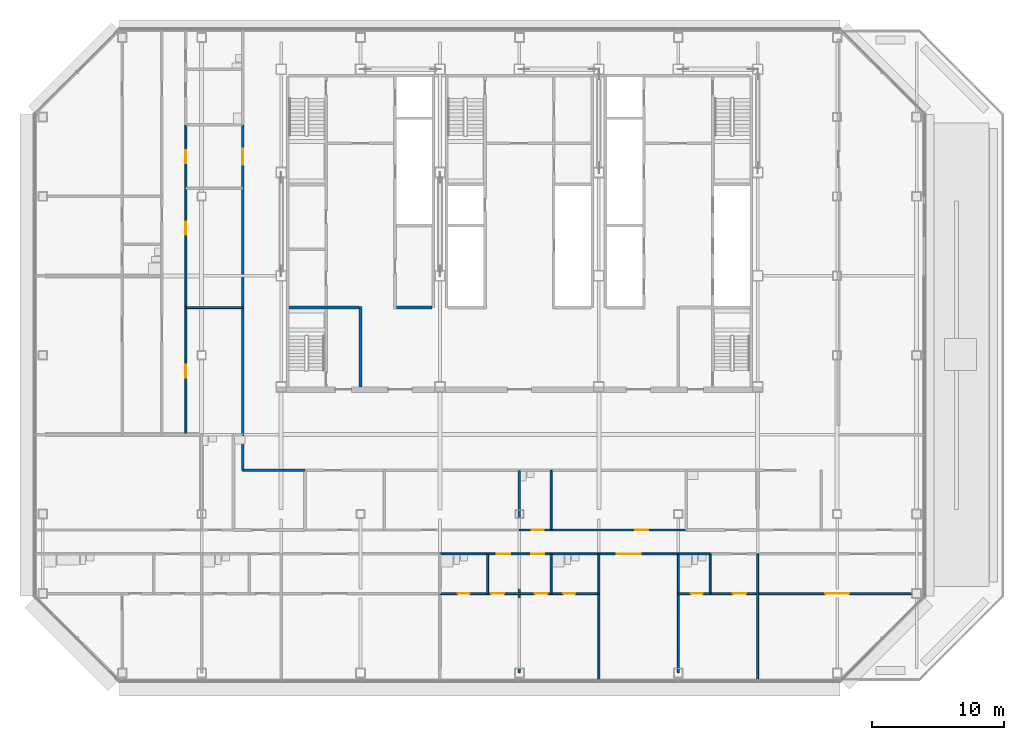
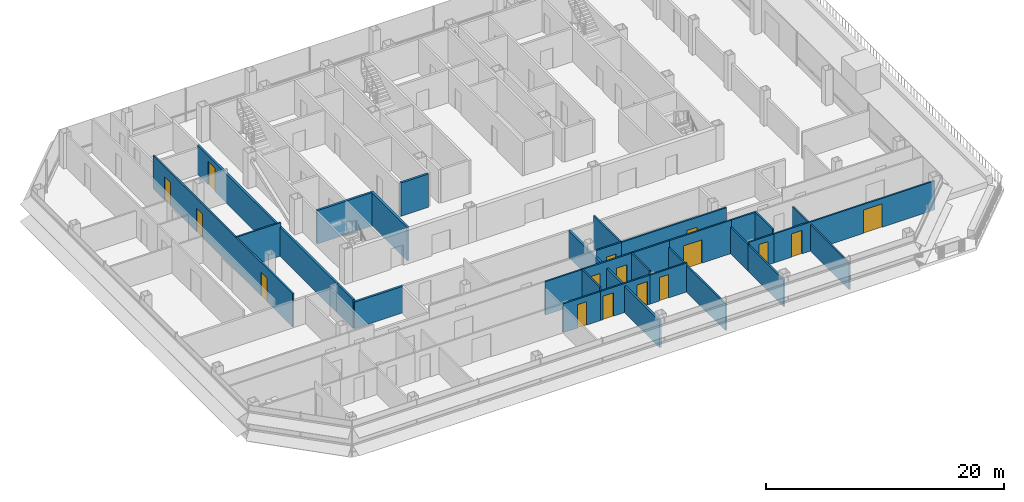
# One storey, part 18 of 27: 30 walls, 16 doors, 16 openings.
"""IFC4 building model written with IfcOpenShell, lengths in metres."""

from ifc_helpers import new_model, si_unit, direction, frame, frame_2d, origin, place, context, subcontext, project, spatial, rectangle, extrude, material, layer, layer_set, type_object, element, fill, save


model = new_model("IFC4")

# Units and contexts
model_context = context("Model", 3, precision=1e-05, world=origin(), true_north=direction((0.0, 1.0)))
body_context = subcontext(model_context, "Body", "Model", "MODEL_VIEW")
ifc_project = project(units=[si_unit("LENGTHUNIT", "METRE"), si_unit("AREAUNIT", "SQUARE_METRE"), si_unit("VOLUMEUNIT", "CUBIC_METRE"), si_unit("PLANEANGLEUNIT", "RADIAN"), si_unit("MASSUNIT", "GRAM", prefix="KILO")], contexts=[model_context])

# Site, building, storey
site_placement = place(None, origin())
site = spatial("IfcSite", under=ifc_project, at=site_placement, CompositionType="ELEMENT")
building_placement = place(site_placement, origin())
building = spatial("IfcBuilding", under=site, at=building_placement, Name="Sorahane Residences", CompositionType="ELEMENT")
storey_placement = place(building_placement, frame((0.0, 0.0, 192.0)))
storey = spatial("IfcBuildingStorey", under=building, at=storey_placement, Name="L44", CompositionType="ELEMENT", Elevation=192.0)

# Wall, opening, door
ifc_material_1 = material(Name="Concrete blockwork C20 wall", Category="masonry")
ifc_layer_1 = layer(ifc_material_1, 0.199951171875)
ifc_layer_set_1 = layer_set([ifc_layer_1], Name="Corridor wall 200 EI 120")
wall_type_1 = type_object("IfcWallType", Name="Corridor wall 200 EI 120", PredefinedType="SOLIDWALL", material=ifc_layer_set_1)
wall_1_placement = place(storey_placement, frame((3.10009765625, 18.0, 0.0), z_axis=(0.0, 0.0, 1.0), x_axis=(0.0, 1.0, 0.0)))
wall_1 = element("IfcWall", 1, at=wall_1_placement, inside=storey, type_object=wall_type_1, Name="L44 corridor wall", PredefinedType="SOLIDWALL", context=body_context, shape_type="SweptSolid", body=[
    extrude(rectangle(XDim=23.39990234375, YDim=0.199951171875, at=frame_2d((11.699951171875, 0.0))), origin(), (0.0, 0.0, 1.0), 2.969970703125),
])
opening_1_placement = place(wall_1_placement, frame((20.39990234375, 0.0, 0.0)))
opening_1 = element("IfcOpeningElement", 2, at=opening_1_placement, cuts=wall_1, Name="Opening L44-46", PredefinedType="OPENING", context=body_context, shape_type="SweptSolid", body=[
    extrude(rectangle(XDim=1.199951171875, YDim=2.39990234375, at=frame_2d((0.60009765625, 1.199951171875))), frame((0.0, 0.10986328125, 0.0), z_axis=(0.0, -1.0, 0.0), x_axis=(1.0, 0.0, 0.0)), (0.0, 0.0, 1.0), 0.219970703125),
])
ifc_material_2 = material(Name="Timber veneered fire door", Category="wood")
door_type_1 = type_object("IfcDoorType", Name="Flat entrance door 1200x2400 FD60", OperationType="NOTDEFINED", PredefinedType="DOOR", material=ifc_material_2)
door_1_placement = place(opening_1_placement, origin())
door_1 = element("IfcDoor", 3, at=door_1_placement, inside=storey, type_object=door_type_1, Name="Flat entrance door L44-46", OperationType="SINGLE_SWING_LEFT", OverallHeight=2.39990234375, OverallWidth=1.199951171875, PredefinedType="DOOR", context=body_context, shape_type="SweptSolid", body=[
    extrude(rectangle(XDim=1.199951171875, YDim=2.39990234375, at=frame_2d((0.60009765625, 1.199951171875))), frame((0.0, 0.02490234375, 0.0), z_axis=(0.0, -1.0, 0.0), x_axis=(1.0, 0.0, 0.0)), (0.0, 0.0, 1.0), 0.050048828125),
])
fill(opening_1, door_1)

# Walls
ifc_material_3 = material(Name="Concrete C30", Category="concrete")
ifc_layer_2 = layer(ifc_material_3, 0.199951171875)
ifc_layer_set_2 = layer_set([ifc_layer_2], Name="Front room wall 200 EI 120")
wall_type_2 = type_object("IfcWallType", Name="Front room wall 200 EI 120", PredefinedType="PARTITIONING", material=ifc_layer_set_2)
wall_2_placement = place(storey_placement, frame((12.0, 21.60009765625, 0.0), z_axis=(0.0, 0.0, 1.0), x_axis=(0.0, 1.0, 0.0)))
element("IfcWall", 4, at=wall_2_placement, inside=storey, type_object=wall_type_2, Name="L44 front room wall", PredefinedType="PARTITIONING", context=body_context, shape_type="SweptSolid", body=[
    extrude(rectangle(XDim=6.099853515625, YDim=0.199951171875, at=frame_2d((3.0498046875, 0.0))), origin(), (0.0, 0.0, 1.0), 3.419921875),
])
ifc_material_4 = material(Name="Concrete blockwork C20 wall", Category="masonry")
ifc_layer_3 = layer(ifc_material_4, 0.199951171875)
ifc_layer_set_3 = layer_set([ifc_layer_3], Name="Kitchen wall 200 EI 180")
wall_type_3 = type_object("IfcWallType", Name="Kitchen wall 200 EI 180", PredefinedType="SOLIDWALL", material=ifc_layer_set_3)
wall_3_placement = place(storey_placement, frame((3.10009765625, 15.300048828125, 0.0), z_axis=(0.0, 0.0, 1.0), x_axis=(0.0, 1.0, 0.0)))
element("IfcWall", 5, at=wall_3_placement, inside=storey, type_object=wall_type_3, Name="L44 kitchen wall", PredefinedType="SOLIDWALL", context=body_context, shape_type="SweptSolid", body=[
    extrude(rectangle(XDim=2.699951171875, YDim=0.199951171875, at=frame_2d((1.35009765625, 0.0))), origin(), (0.0, 0.0, 1.0), 2.969970703125),
])
wall_4_placement = place(storey_placement, frame((3.10009765625, 15.300048828125, 0.0), z_axis=(0.0, 0.0, 1.0), x_axis=(1.0, 0.0, 0.0)))
element("IfcWall", 6, at=wall_4_placement, inside=storey, type_object=wall_type_3, Name="L44 kitchen wall", PredefinedType="SOLIDWALL", context=body_context, shape_type="SweptSolid", body=[
    extrude(rectangle(XDim=4.699951171875, YDim=0.199951171875, at=frame_2d((2.35009765625, 0.0))), origin(), (0.0, 0.0, 1.0), 2.719970703125),
])

# Wall, openings, doors
ifc_material_5 = material(Name="Gypsum board partition on steel studs", Category="steel")
ifc_layer_4 = layer(ifc_material_5, 0.14990234375)
ifc_layer_set_4 = layer_set([ifc_layer_4], Name="Partition 150 EI 90")
wall_type_4 = type_object("IfcWallType", Name="Partition 150 EI 90", PredefinedType="PARTITIONING", material=ifc_layer_set_4)
wall_5_placement = place(storey_placement, frame((-1.199951171875, 18.0, 0.0), z_axis=(0.0, 0.0, 1.0), x_axis=(0.0, 1.0, 0.0)))
wall_5 = element("IfcWall", 7, at=wall_5_placement, inside=storey, type_object=wall_type_4, Name="L44 partition", PredefinedType="PARTITIONING", context=body_context, shape_type="SweptSolid", body=[
    extrude(rectangle(XDim=23.39990234375, YDim=0.14990234375, at=frame_2d((11.699951171875, 0.0))), origin(), (0.0, 0.0, 1.0), 3.419921875),
])
opening_2_placement = place(wall_5_placement, frame((20.5, 0.0, 0.0)))
opening_2 = element("IfcOpeningElement", 8, at=opening_2_placement, cuts=wall_5, Name="Opening L44-32", PredefinedType="OPENING", context=body_context, shape_type="SweptSolid", body=[
    extrude(rectangle(XDim=1.0, YDim=2.39990234375, at=frame_2d((0.5, 1.199951171875))), frame((0.0, 0.0849609375, 0.0), z_axis=(0.0, -1.0, 0.0), x_axis=(1.0, 0.0, 0.0)), (0.0, 0.0, 1.0), 0.169921875),
])
opening_3_placement = place(wall_5_placement, frame((4.300048828125, 0.0, 0.0)))
opening_3 = element("IfcOpeningElement", 9, at=opening_3_placement, cuts=wall_5, Name="Opening L44-33", PredefinedType="OPENING", context=body_context, shape_type="SweptSolid", body=[
    extrude(rectangle(XDim=1.0, YDim=2.39990234375, at=frame_2d((0.5, 1.199951171875))), frame((0.0, 0.0849609375, 0.0), z_axis=(0.0, -1.0, 0.0), x_axis=(1.0, 0.0, 0.0)), (0.0, 0.0, 1.0), 0.169921875),
])
opening_4_placement = place(wall_5_placement, frame((15.10009765625, 0.0, 0.0)))
opening_4 = element("IfcOpeningElement", 10, at=opening_4_placement, cuts=wall_5, Name="Opening L44-34", PredefinedType="OPENING", context=body_context, shape_type="SweptSolid", body=[
    extrude(rectangle(XDim=1.0, YDim=2.39990234375, at=frame_2d((0.5, 1.199951171875))), frame((0.0, 0.0849609375, 0.0), z_axis=(0.0, -1.0, 0.0), x_axis=(1.0, 0.0, 0.0)), (0.0, 0.0, 1.0), 0.169921875),
])
ifc_material_6 = material(Name="Timber veneered fire door", Category="wood")
door_type_2 = type_object("IfcDoorType", Name="Room door 1000x2400 FD30", OperationType="NOTDEFINED", PredefinedType="DOOR", material=ifc_material_6)
door_2_placement = place(opening_2_placement, origin())
door_2 = element("IfcDoor", 11, at=door_2_placement, inside=storey, type_object=door_type_2, Name="Room door L44-32", OperationType="SINGLE_SWING_RIGHT", OverallHeight=2.39990234375, OverallWidth=1.0, PredefinedType="DOOR", context=body_context, shape_type="SweptSolid", body=[
    extrude(rectangle(XDim=1.0, YDim=2.39990234375, at=frame_2d((0.5, 1.199951171875))), frame((0.0, 0.02490234375, 0.0), z_axis=(0.0, -1.0, 0.0), x_axis=(1.0, 0.0, 0.0)), (0.0, 0.0, 1.0), 0.050048828125),
])
fill(opening_2, door_2)
door_3_placement = place(opening_3_placement, frame((1.0, 0.0, 0.0), z_axis=(0.0, 0.0, 1.0), x_axis=(-1.0, 0.0, 0.0)))
door_3 = element("IfcDoor", 12, at=door_3_placement, inside=storey, type_object=door_type_2, Name="Room door L44-33", OperationType="SINGLE_SWING_RIGHT", OverallHeight=2.39990234375, OverallWidth=1.0, PredefinedType="DOOR", context=body_context, shape_type="SweptSolid", body=[
    extrude(rectangle(XDim=1.0, YDim=2.39990234375, at=frame_2d((0.5, 1.199951171875))), frame((0.0, 0.02490234375, 0.0), z_axis=(0.0, -1.0, 0.0), x_axis=(1.0, 0.0, 0.0)), (0.0, 0.0, 1.0), 0.050048828125),
])
fill(opening_3, door_3)
door_4_placement = place(opening_4_placement, frame((1.0, 0.0, 0.0), z_axis=(0.0, 0.0, 1.0), x_axis=(-1.0, 0.0, 0.0)))
door_4 = element("IfcDoor", 13, at=door_4_placement, inside=storey, type_object=door_type_2, Name="Room door L44-34", OperationType="SINGLE_SWING_RIGHT", OverallHeight=2.39990234375, OverallWidth=1.0, PredefinedType="DOOR", context=body_context, shape_type="SweptSolid", body=[
    extrude(rectangle(XDim=1.0, YDim=2.39990234375, at=frame_2d((0.5, 1.199951171875))), frame((0.0, 0.02490234375, 0.0), z_axis=(0.0, -1.0, 0.0), x_axis=(1.0, 0.0, 0.0)), (0.0, 0.0, 1.0), 0.050048828125),
])
fill(opening_4, door_4)

# Walls
wall_6_placement = place(storey_placement, frame((30.0, -0.60009765625, 0.0), z_axis=(0.0, 0.0, 1.0), x_axis=(0.0, 1.0, 0.0)))
element("IfcWall", 14, at=wall_6_placement, inside=storey, type_object=wall_type_4, Name="L44 partition", PredefinedType="PARTITIONING", context=body_context, shape_type="SweptSolid", body=[
    extrude(rectangle(XDim=6.60009765625, YDim=0.14990234375, at=frame_2d((3.300048828125, 0.0))), origin(), (0.0, 0.0, 1.0), 2.719970703125),
])
wall_7_placement = place(storey_placement, frame((36.0, 0.0, 0.0), z_axis=(0.0, 0.0, 1.0), x_axis=(0.0, 1.0, 0.0)))
element("IfcWall", 15, at=wall_7_placement, inside=storey, type_object=wall_type_4, Name="L44 partition", PredefinedType="PARTITIONING", context=body_context, shape_type="SweptSolid", body=[
    extrude(rectangle(XDim=6.0, YDim=0.14990234375, at=frame_2d((3.0, 0.0))), origin(), (0.0, 0.0, 1.0), 2.719970703125),
])
wall_8_placement = place(storey_placement, frame((42.0, -0.60009765625, 0.0), z_axis=(0.0, 0.0, 1.0), x_axis=(0.0, 1.0, 0.0)))
element("IfcWall", 16, at=wall_8_placement, inside=storey, type_object=wall_type_4, Name="L44 partition", PredefinedType="PARTITIONING", context=body_context, shape_type="SweptSolid", body=[
    extrude(rectangle(XDim=9.60009765625, YDim=0.14990234375, at=frame_2d((4.800048828125, 0.0))), origin(), (0.0, 0.0, 1.0), 2.719970703125),
])

# Wall, opening, door
wall_9_placement = place(storey_placement, frame((26.39990234375, 10.800048828125, 0.0), z_axis=(0.0, 0.0, 1.0), x_axis=(1.0, 0.0, 0.0)))
wall_9 = element("IfcWall", 17, at=wall_9_placement, inside=storey, type_object=wall_type_4, Name="L44 partition", PredefinedType="PARTITIONING", context=body_context, shape_type="SweptSolid", body=[
    extrude(rectangle(XDim=10.2001953125, YDim=0.14990234375, at=frame_2d((5.10009765625, 0.0))), origin(), (0.0, 0.0, 1.0), 3.419921875),
])
opening_5_placement = place(wall_9_placement, frame((6.340087890625, 0.0, 0.0)))
opening_5 = element("IfcOpeningElement", 18, at=opening_5_placement, cuts=wall_9, Name="Opening L44-20", PredefinedType="OPENING", context=body_context, shape_type="SweptSolid", body=[
    extrude(rectangle(XDim=1.0, YDim=2.39990234375, at=frame_2d((0.5, 1.199951171875))), frame((0.0, 0.0849609375, 0.0), z_axis=(0.0, -1.0, 0.0), x_axis=(1.0, 0.0, 0.0)), (0.0, 0.0, 1.0), 0.169921875),
])
door_5_placement = place(opening_5_placement, origin())
door_5 = element("IfcDoor", 19, at=door_5_placement, inside=storey, type_object=door_type_2, Name="Room door L44-20", OperationType="SINGLE_SWING_RIGHT", OverallHeight=2.39990234375, OverallWidth=1.0, PredefinedType="DOOR", context=body_context, shape_type="SweptSolid", body=[
    extrude(rectangle(XDim=1.0, YDim=2.39990234375, at=frame_2d((0.5, 1.199951171875))), frame((0.0, 0.02490234375, 0.0), z_axis=(0.0, -1.0, 0.0), x_axis=(1.0, 0.0, 0.0)), (0.0, 0.0, 1.0), 0.050048828125),
])
fill(opening_5, door_5)

# Wall
wall_10_placement = place(storey_placement, frame((-1.199951171875, 27.60009765625, 0.0), z_axis=(0.0, 0.0, 1.0), x_axis=(1.0, 0.0, 0.0)))
element("IfcWall", 20, at=wall_10_placement, inside=storey, type_object=wall_type_4, Name="L44 partition", PredefinedType="PARTITIONING", context=body_context, shape_type="SweptSolid", body=[
    extrude(rectangle(XDim=4.300048828125, YDim=0.14990234375, at=frame_2d((2.14990234375, 0.0))), origin(), (0.0, 0.0, 1.0), 3.419921875),
])

# Wall, openings, doors
wall_11_placement = place(storey_placement, frame((21.60009765625, 6.0, 0.0), z_axis=(0.0, 0.0, 1.0), x_axis=(1.0, 0.0, 0.0)))
wall_11 = element("IfcWall", 21, at=wall_11_placement, inside=storey, type_object=wall_type_4, Name="L44 partition", PredefinedType="PARTITIONING", context=body_context, shape_type="SweptSolid", body=[
    extrude(rectangle(XDim=4.7998046875, YDim=0.14990234375, at=frame_2d((2.39990234375, 0.0))), origin(), (0.0, 0.0, 1.0), 2.969970703125),
])
opening_6_placement = place(wall_11_placement, frame((0.25, 0.0, 0.0)))
opening_6 = element("IfcOpeningElement", 22, at=opening_6_placement, cuts=wall_11, Name="Opening L44-16", PredefinedType="OPENING", context=body_context, shape_type="SweptSolid", body=[
    extrude(rectangle(XDim=1.0, YDim=2.39990234375, at=frame_2d((0.5, 1.199951171875))), frame((0.0, 0.0849609375, 0.0), z_axis=(0.0, -1.0, 0.0), x_axis=(1.0, 0.0, 0.0)), (0.0, 0.0, 1.0), 0.169921875),
])
opening_7_placement = place(wall_11_placement, frame((3.550048828125, 0.0, 0.0)))
opening_7 = element("IfcOpeningElement", 23, at=opening_7_placement, cuts=wall_11, Name="Opening L44-27", PredefinedType="OPENING", context=body_context, shape_type="SweptSolid", body=[
    extrude(rectangle(XDim=1.0, YDim=2.39990234375, at=frame_2d((0.5, 1.199951171875))), frame((0.0, 0.0849609375, 0.0), z_axis=(0.0, -1.0, 0.0), x_axis=(1.0, 0.0, 0.0)), (0.0, 0.0, 1.0), 0.169921875),
])
door_6_placement = place(opening_6_placement, frame((1.0, 0.0, 0.0), z_axis=(0.0, 0.0, 1.0), x_axis=(-1.0, 0.0, 0.0)))
door_6 = element("IfcDoor", 24, at=door_6_placement, inside=storey, type_object=door_type_2, Name="Room door L44-16", OperationType="SINGLE_SWING_LEFT", OverallHeight=2.39990234375, OverallWidth=1.0, PredefinedType="DOOR", context=body_context, shape_type="SweptSolid", body=[
    extrude(rectangle(XDim=1.0, YDim=2.39990234375, at=frame_2d((0.5, 1.199951171875))), frame((0.0, 0.02490234375, 0.0), z_axis=(0.0, -1.0, 0.0), x_axis=(1.0, 0.0, 0.0)), (0.0, 0.0, 1.0), 0.050048828125),
])
fill(opening_6, door_6)
door_7_placement = place(opening_7_placement, frame((1.0, 0.0, 0.0), z_axis=(0.0, 0.0, 1.0), x_axis=(-1.0, 0.0, 0.0)))
door_7 = element("IfcDoor", 25, at=door_7_placement, inside=storey, type_object=door_type_2, Name="Room door L44-27", OperationType="SINGLE_SWING_RIGHT", OverallHeight=2.39990234375, OverallWidth=1.0, PredefinedType="DOOR", context=body_context, shape_type="SweptSolid", body=[
    extrude(rectangle(XDim=1.0, YDim=2.39990234375, at=frame_2d((0.5, 1.199951171875))), frame((0.0, 0.02490234375, 0.0), z_axis=(0.0, -1.0, 0.0), x_axis=(1.0, 0.0, 0.0)), (0.0, 0.0, 1.0), 0.050048828125),
])
fill(opening_7, door_7)

wall_12_placement = place(storey_placement, frame((38.39990234375, 6.0, 0.0), z_axis=(0.0, 0.0, 1.0), x_axis=(1.0, 0.0, 0.0)))
wall_12 = element("IfcWall", 26, at=wall_12_placement, inside=storey, type_object=wall_type_4, Name="L44 partition", PredefinedType="PARTITIONING", context=body_context, shape_type="SweptSolid", body=[
    extrude(rectangle(XDim=15.60009765625, YDim=0.14990234375, at=frame_2d((7.800048828125, 0.0))), origin(), (0.0, 0.0, 1.0), 2.969970703125),
])
opening_8_placement = place(wall_12_placement, frame((1.719970703125, 0.0, 0.0)))
opening_8 = element("IfcOpeningElement", 27, at=opening_8_placement, cuts=wall_12, Name="Opening L44-29", PredefinedType="OPENING", context=body_context, shape_type="SweptSolid", body=[
    extrude(rectangle(XDim=1.0, YDim=2.39990234375, at=frame_2d((0.5, 1.199951171875))), frame((0.0, 0.0849609375, 0.0), z_axis=(0.0, -1.0, 0.0), x_axis=(1.0, 0.0, 0.0)), (0.0, 0.0, 1.0), 0.169921875),
])
opening_9_placement = place(wall_12_placement, frame((8.699951171875, 0.0, 0.0)))
opening_9 = element("IfcOpeningElement", 28, at=opening_9_placement, cuts=wall_12, Name="Opening L44-31", PredefinedType="OPENING", context=body_context, shape_type="SweptSolid", body=[
    extrude(rectangle(XDim=1.800048828125, YDim=2.39990234375, at=frame_2d((0.89990234375, 1.199951171875))), frame((0.0, 0.0849609375, 0.0), z_axis=(0.0, -1.0, 0.0), x_axis=(1.0, 0.0, 0.0)), (0.0, 0.0, 1.0), 0.169921875),
])
ifc_material_7 = material(Name="Timber veneered fire door", Category="wood")
door_type_3 = type_object("IfcDoorType", Name="Double door 1800x2400 FD30", OperationType="NOTDEFINED", PredefinedType="DOOR", material=ifc_material_7)
door_8_placement = place(opening_9_placement, frame((1.800048828125, 0.0, 0.0), z_axis=(0.0, 0.0, 1.0), x_axis=(-1.0, 0.0, 0.0)))
door_8 = element("IfcDoor", 29, at=door_8_placement, inside=storey, type_object=door_type_3, Name="Double door L44-31", OperationType="SINGLE_SWING_LEFT", OverallHeight=2.39990234375, OverallWidth=1.800048828125, PredefinedType="DOOR", context=body_context, shape_type="SweptSolid", body=[
    extrude(rectangle(XDim=1.800048828125, YDim=2.39990234375, at=frame_2d((0.89990234375, 1.199951171875))), frame((0.0, 0.02490234375, 0.0), z_axis=(0.0, -1.0, 0.0), x_axis=(1.0, 0.0, 0.0)), (0.0, 0.0, 1.0), 0.050048828125),
])
fill(opening_9, door_8)
door_9_placement = place(opening_8_placement, frame((1.0, 0.0, 0.0), z_axis=(0.0, 0.0, 1.0), x_axis=(-1.0, 0.0, 0.0)))
door_9 = element("IfcDoor", 30, at=door_9_placement, inside=storey, type_object=door_type_2, Name="Room door L44-29", OperationType="SINGLE_SWING_LEFT", OverallHeight=2.39990234375, OverallWidth=1.0, PredefinedType="DOOR", context=body_context, shape_type="SweptSolid", body=[
    extrude(rectangle(XDim=1.0, YDim=2.39990234375, at=frame_2d((0.5, 1.199951171875))), frame((0.0, 0.02490234375, 0.0), z_axis=(0.0, -1.0, 0.0), x_axis=(1.0, 0.0, 0.0)), (0.0, 0.0, 1.0), 0.050048828125),
])
fill(opening_8, door_9)

wall_13_placement = place(storey_placement, frame((21.60009765625, 9.0, 0.0), z_axis=(0.0, 0.0, 1.0), x_axis=(1.0, 0.0, 0.0)))
wall_13 = element("IfcWall", 31, at=wall_13_placement, inside=storey, type_object=wall_type_4, Name="L44 partition", PredefinedType="PARTITIONING", context=body_context, shape_type="SweptSolid", body=[
    extrude(rectangle(XDim=4.7998046875, YDim=0.14990234375, at=frame_2d((2.39990234375, 0.0))), origin(), (0.0, 0.0, 1.0), 3.419921875),
])
opening_10_placement = place(wall_13_placement, frame((0.699951171875, 0.0, 0.0)))
opening_10 = element("IfcOpeningElement", 32, at=opening_10_placement, cuts=wall_13, Name="Opening L44-09", PredefinedType="OPENING", context=body_context, shape_type="SweptSolid", body=[
    extrude(rectangle(XDim=1.0, YDim=2.39990234375, at=frame_2d((0.5, 1.199951171875))), frame((0.0, 0.0849609375, 0.0), z_axis=(0.0, -1.0, 0.0), x_axis=(1.0, 0.0, 0.0)), (0.0, 0.0, 1.0), 0.169921875),
])
opening_11_placement = place(wall_13_placement, frame((3.280029296875, 0.0, 0.0)))
opening_11 = element("IfcOpeningElement", 33, at=opening_11_placement, cuts=wall_13, Name="Opening L44-23", PredefinedType="OPENING", context=body_context, shape_type="SweptSolid", body=[
    extrude(rectangle(XDim=1.0, YDim=2.39990234375, at=frame_2d((0.5, 1.199951171875))), frame((0.0, 0.0849609375, 0.0), z_axis=(0.0, -1.0, 0.0), x_axis=(1.0, 0.0, 0.0)), (0.0, 0.0, 1.0), 0.169921875),
])
door_10_placement = place(opening_10_placement, frame((1.0, 0.0, 0.0), z_axis=(0.0, 0.0, 1.0), x_axis=(-1.0, 0.0, 0.0)))
door_10 = element("IfcDoor", 34, at=door_10_placement, inside=storey, type_object=door_type_2, Name="Room door L44-09", OperationType="SINGLE_SWING_RIGHT", OverallHeight=2.39990234375, OverallWidth=1.0, PredefinedType="DOOR", context=body_context, shape_type="SweptSolid", body=[
    extrude(rectangle(XDim=1.0, YDim=2.39990234375, at=frame_2d((0.5, 1.199951171875))), frame((0.0, 0.02490234375, 0.0), z_axis=(0.0, -1.0, 0.0), x_axis=(1.0, 0.0, 0.0)), (0.0, 0.0, 1.0), 0.050048828125),
])
fill(opening_10, door_10)
door_11_placement = place(opening_11_placement, frame((1.0, 0.0, 0.0), z_axis=(0.0, 0.0, 1.0), x_axis=(-1.0, 0.0, 0.0)))
door_11 = element("IfcDoor", 35, at=door_11_placement, inside=storey, type_object=door_type_2, Name="Room door L44-23", OperationType="SINGLE_SWING_LEFT", OverallHeight=2.39990234375, OverallWidth=1.0, PredefinedType="DOOR", context=body_context, shape_type="SweptSolid", body=[
    extrude(rectangle(XDim=1.0, YDim=2.39990234375, at=frame_2d((0.5, 1.199951171875))), frame((0.0, 0.02490234375, 0.0), z_axis=(0.0, -1.0, 0.0), x_axis=(1.0, 0.0, 0.0)), (0.0, 0.0, 1.0), 0.050048828125),
])
fill(opening_11, door_11)

# Wall, opening, door
wall_14_placement = place(storey_placement, frame((30.0, 9.0, 0.0), z_axis=(0.0, 0.0, 1.0), x_axis=(1.0, 0.0, 0.0)))
wall_14 = element("IfcWall", 36, at=wall_14_placement, inside=storey, type_object=wall_type_4, Name="L44 partition", PredefinedType="PARTITIONING", context=body_context, shape_type="SweptSolid", body=[
    extrude(rectangle(XDim=6.0, YDim=0.14990234375, at=frame_2d((3.0, 0.0))), origin(), (0.0, 0.0, 1.0), 3.419921875),
])
opening_12_placement = place(wall_14_placement, frame((1.360107421875, 0.0, 0.0)))
opening_12 = element("IfcOpeningElement", 37, at=opening_12_placement, cuts=wall_14, Name="Opening L44-24", PredefinedType="OPENING", context=body_context, shape_type="SweptSolid", body=[
    extrude(rectangle(XDim=1.800048828125, YDim=2.39990234375, at=frame_2d((0.89990234375, 1.199951171875))), frame((0.0, 0.0849609375, 0.0), z_axis=(0.0, -1.0, 0.0), x_axis=(1.0, 0.0, 0.0)), (0.0, 0.0, 1.0), 0.169921875),
])
door_12_placement = place(opening_12_placement, frame((1.800048828125, 0.0, 0.0), z_axis=(0.0, 0.0, 1.0), x_axis=(-1.0, 0.0, 0.0)))
door_12 = element("IfcDoor", 38, at=door_12_placement, inside=storey, type_object=door_type_3, Name="Double door L44-24", OperationType="SINGLE_SWING_LEFT", OverallHeight=2.39990234375, OverallWidth=1.800048828125, PredefinedType="DOOR", context=body_context, shape_type="SweptSolid", body=[
    extrude(rectangle(XDim=1.800048828125, YDim=2.39990234375, at=frame_2d((0.89990234375, 1.199951171875))), frame((0.0, 0.02490234375, 0.0), z_axis=(0.0, -1.0, 0.0), x_axis=(1.0, 0.0, 0.0)), (0.0, 0.0, 1.0), 0.050048828125),
])
fill(opening_12, door_12)

# Walls
ifc_material_8 = material(Name="Concrete blockwork C20 wall", Category="masonry")
ifc_layer_5 = layer(ifc_material_8, 0.199951171875)
ifc_layer_set_5 = layer_set([ifc_layer_5], Name="Party wall 200 EI 120")
wall_type_5 = type_object("IfcWallType", Name="Party wall 200 EI 120", PredefinedType="SOLIDWALL", material=ifc_layer_set_5)
wall_15_placement = place(storey_placement, frame((24.0, 0.0, 0.0), z_axis=(0.0, 0.0, 1.0), x_axis=(0.0, 1.0, 0.0)))
element("IfcWall", 39, at=wall_15_placement, inside=storey, type_object=wall_type_5, Name="L44 party wall", PredefinedType="SOLIDWALL", context=body_context, shape_type="SweptSolid", body=[
    extrude(rectangle(XDim=15.300048828125, YDim=0.199951171875, at=frame_2d((7.64990234375, 0.0))), origin(), (0.0, 0.0, 1.0), 2.719970703125),
])
ifc_material_9 = material(Name="Concrete C30", Category="concrete")
ifc_layer_6 = layer(ifc_material_9, 0.199951171875)
ifc_layer_set_6 = layer_set([ifc_layer_6], Name="Service room partition 200 EI 60")
wall_type_6 = type_object("IfcWallType", Name="Service room partition 200 EI 60", PredefinedType="PARTITIONING", material=ifc_layer_set_6)
wall_16_placement = place(storey_placement, frame((14.699951171875, 27.60009765625, 0.0), z_axis=(0.0, 0.0, 1.0), x_axis=(1.0, 0.0, 0.0)))
element("IfcWall", 40, at=wall_16_placement, inside=storey, type_object=wall_type_6, Name="L44 service room wall", PredefinedType="PARTITIONING", context=body_context, shape_type="SweptSolid", body=[
    extrude(rectangle(XDim=2.699951171875, YDim=0.199951171875, at=frame_2d((1.35009765625, 0.0))), origin(), (0.0, 0.0, 1.0), 3.419921875),
])
ifc_material_10 = material(Name="Concrete C30", Category="concrete")
ifc_layer_7 = layer(ifc_material_10, 0.199951171875)
ifc_layer_set_7 = layer_set([ifc_layer_7], Name="Stair enclosure wall 200 EI 120")
wall_type_7 = type_object("IfcWallType", Name="Stair enclosure wall 200 EI 120", PredefinedType="SOLIDWALL", material=ifc_layer_set_7)
wall_17_placement = place(storey_placement, frame((6.60009765625, 27.60009765625, 0.0), z_axis=(0.0, 0.0, 1.0), x_axis=(1.0, 0.0, 0.0)))
element("IfcWall", 41, at=wall_17_placement, inside=storey, type_object=wall_type_7, Name="L44 stair enclosure wall", PredefinedType="SOLIDWALL", context=body_context, shape_type="SweptSolid", body=[
    extrude(rectangle(XDim=5.2998046875, YDim=0.199951171875, at=frame_2d((2.64990234375, 0.0))), origin(), (0.0, 0.0, 1.0), 3.419921875),
])
ifc_material_11 = material(Name="Gypsum board partition on steel studs", Category="steel")
ifc_layer_8 = layer(ifc_material_11, 0.14990234375)
ifc_layer_set_8 = layer_set([ifc_layer_8], Name="Wet wall 150 EI 90")
wall_type_8 = type_object("IfcWallType", Name="Wet wall 150 EI 90", PredefinedType="PARTITIONING", material=ifc_layer_set_8)
for number, where, z_axis, x_axis, name in (
    (42, (21.60009765625, 6.0, 0.0), (0.0, 0.0, 1.0), (0.0, 1.0, 0.0), "L44 wet wall"),
    (43, (26.39990234375, 6.0, 0.0), (0.0, 0.0, 1.0), (0.0, 1.0, 0.0), "L44 wet wall"),
):
    element("IfcWall", number, at=place(storey_placement, frame(where, z_axis=z_axis, x_axis=x_axis)), inside=storey, type_object=wall_type_8, Name=name, PredefinedType="PARTITIONING", context=body_context, shape_type="SweptSolid", body=[
        extrude(rectangle(XDim=3.0, YDim=0.14990234375, at=frame_2d((1.5, 0.0))), origin(), (0.0, 0.0, 1.0), 3.419921875),
    ])
wall_18_placement = place(storey_placement, frame((26.39990234375, 10.800048828125, 0.0), z_axis=(0.0, 0.0, 1.0), x_axis=(0.0, 1.0, 0.0)))
element("IfcWall", 44, at=wall_18_placement, inside=storey, type_object=wall_type_8, Name="L44 wet wall", PredefinedType="PARTITIONING", context=body_context, shape_type="SweptSolid", body=[
    extrude(rectangle(XDim=4.5, YDim=0.14990234375, at=frame_2d((2.25, 0.0))), origin(), (0.0, 0.0, 1.0), 3.419921875),
])
for number, where, z_axis, x_axis, name in (
    (45, (30.0, 6.0, 0.0), (0.0, 0.0, 1.0), (0.0, 1.0, 0.0), "L44 wet wall"),
    (46, (36.0, 6.0, 0.0), (0.0, 0.0, 1.0), (0.0, 1.0, 0.0), "L44 wet wall"),
):
    element("IfcWall", number, at=place(storey_placement, frame(where, z_axis=z_axis, x_axis=x_axis)), inside=storey, type_object=wall_type_8, Name=name, PredefinedType="PARTITIONING", context=body_context, shape_type="SweptSolid", body=[
        extrude(rectangle(XDim=3.0, YDim=0.14990234375, at=frame_2d((1.5, 0.0))), origin(), (0.0, 0.0, 1.0), 2.719970703125),
    ])
wall_19_placement = place(storey_placement, frame((38.39990234375, 6.0, 0.0), z_axis=(0.0, 0.0, 1.0), x_axis=(0.0, 1.0, 0.0)))
element("IfcWall", 47, at=wall_19_placement, inside=storey, type_object=wall_type_8, Name="L44 wet wall", PredefinedType="PARTITIONING", context=body_context, shape_type="SweptSolid", body=[
    extrude(rectangle(XDim=3.0, YDim=0.14990234375, at=frame_2d((1.5, 0.0))), origin(), (0.0, 0.0, 1.0), 3.419921875),
])

# Wall, opening, door
wall_20_placement = place(storey_placement, frame((24.0, 10.800048828125, 0.0), z_axis=(0.0, 0.0, 1.0), x_axis=(1.0, 0.0, 0.0)))
wall_20 = element("IfcWall", 48, at=wall_20_placement, inside=storey, type_object=wall_type_8, Name="L44 wet wall", PredefinedType="PARTITIONING", context=body_context, shape_type="SweptSolid", body=[
    extrude(rectangle(XDim=2.39990234375, YDim=0.14990234375, at=frame_2d((1.199951171875, 0.0))), origin(), (0.0, 0.0, 1.0), 3.419921875),
])
opening_13_placement = place(wall_20_placement, frame((0.949951171875, 0.0, 0.0)))
opening_13 = element("IfcOpeningElement", 49, at=opening_13_placement, cuts=wall_20, Name="Opening L44-19", PredefinedType="OPENING", context=body_context, shape_type="SweptSolid", body=[
    extrude(rectangle(XDim=0.89990234375, YDim=2.39990234375, at=frame_2d((0.449951171875, 1.199951171875))), frame((0.0, 0.0849609375, 0.0), z_axis=(0.0, -1.0, 0.0), x_axis=(1.0, 0.0, 0.0)), (0.0, 0.0, 1.0), 0.169921875),
])
ifc_material_12 = material(Name="Timber veneered fire door", Category="wood")
door_type_4 = type_object("IfcDoorType", Name="Bathroom door 900x2400 FD30", OperationType="NOTDEFINED", PredefinedType="DOOR", material=ifc_material_12)
door_13_placement = place(opening_13_placement, frame((0.89990234375, 0.0, 0.0), z_axis=(0.0, 0.0, 1.0), x_axis=(-1.0, 0.0, 0.0)))
door_13 = element("IfcDoor", 50, at=door_13_placement, inside=storey, type_object=door_type_4, Name="Bathroom door L44-19", OperationType="SINGLE_SWING_RIGHT", OverallHeight=2.39990234375, OverallWidth=0.89990234375, PredefinedType="DOOR", context=body_context, shape_type="SweptSolid", body=[
    extrude(rectangle(XDim=0.89990234375, YDim=2.39990234375, at=frame_2d((0.449951171875, 1.199951171875))), frame((0.0, 0.02490234375, 0.0), z_axis=(0.0, -1.0, 0.0), x_axis=(1.0, 0.0, 0.0)), (0.0, 0.0, 1.0), 0.050048828125),
])
fill(opening_13, door_13)

wall_21_placement = place(storey_placement, frame((18.0, 6.0, 0.0), z_axis=(0.0, 0.0, 1.0), x_axis=(1.0, 0.0, 0.0)))
wall_21 = element("IfcWall", 51, at=wall_21_placement, inside=storey, type_object=wall_type_8, Name="L44 wet wall", PredefinedType="PARTITIONING", context=body_context, shape_type="SweptSolid", body=[
    extrude(rectangle(XDim=3.60009765625, YDim=0.14990234375, at=frame_2d((1.800048828125, 0.0))), origin(), (0.0, 0.0, 1.0), 2.969970703125),
])
opening_14_placement = place(wall_21_placement, frame((1.35009765625, 0.0, 0.0)))
opening_14 = element("IfcOpeningElement", 52, at=opening_14_placement, cuts=wall_21, Name="Opening L44-17", PredefinedType="OPENING", context=body_context, shape_type="SweptSolid", body=[
    extrude(rectangle(XDim=0.89990234375, YDim=2.39990234375, at=frame_2d((0.449951171875, 1.199951171875))), frame((0.0, 0.0849609375, 0.0), z_axis=(0.0, -1.0, 0.0), x_axis=(1.0, 0.0, 0.0)), (0.0, 0.0, 1.0), 0.169921875),
])
door_14_placement = place(opening_14_placement, frame((0.89990234375, 0.0, 0.0), z_axis=(0.0, 0.0, 1.0), x_axis=(-1.0, 0.0, 0.0)))
door_14 = element("IfcDoor", 53, at=door_14_placement, inside=storey, type_object=door_type_4, Name="Bathroom door L44-17", OperationType="SINGLE_SWING_LEFT", OverallHeight=2.39990234375, OverallWidth=0.89990234375, PredefinedType="DOOR", context=body_context, shape_type="SweptSolid", body=[
    extrude(rectangle(XDim=0.89990234375, YDim=2.39990234375, at=frame_2d((0.449951171875, 1.199951171875))), frame((0.0, 0.02490234375, 0.0), z_axis=(0.0, -1.0, 0.0), x_axis=(1.0, 0.0, 0.0)), (0.0, 0.0, 1.0), 0.050048828125),
])
fill(opening_14, door_14)

wall_22_placement = place(storey_placement, frame((26.39990234375, 6.0, 0.0), z_axis=(0.0, 0.0, 1.0), x_axis=(1.0, 0.0, 0.0)))
wall_22 = element("IfcWall", 54, at=wall_22_placement, inside=storey, type_object=wall_type_8, Name="L44 wet wall", PredefinedType="PARTITIONING", context=body_context, shape_type="SweptSolid", body=[
    extrude(rectangle(XDim=3.60009765625, YDim=0.14990234375, at=frame_2d((1.800048828125, 0.0))), origin(), (0.0, 0.0, 1.0), 2.969970703125),
])
opening_15_placement = place(wall_22_placement, frame((0.909912109375, 0.0, 0.0)))
opening_15 = element("IfcOpeningElement", 55, at=opening_15_placement, cuts=wall_22, Name="Opening L44-28", PredefinedType="OPENING", context=body_context, shape_type="SweptSolid", body=[
    extrude(rectangle(XDim=0.89990234375, YDim=2.39990234375, at=frame_2d((0.449951171875, 1.199951171875))), frame((0.0, 0.0849609375, 0.0), z_axis=(0.0, -1.0, 0.0), x_axis=(1.0, 0.0, 0.0)), (0.0, 0.0, 1.0), 0.169921875),
])
door_15_placement = place(opening_15_placement, frame((0.89990234375, 0.0, 0.0), z_axis=(0.0, 0.0, 1.0), x_axis=(-1.0, 0.0, 0.0)))
door_15 = element("IfcDoor", 56, at=door_15_placement, inside=storey, type_object=door_type_4, Name="Bathroom door L44-28", OperationType="SINGLE_SWING_LEFT", OverallHeight=2.39990234375, OverallWidth=0.89990234375, PredefinedType="DOOR", context=body_context, shape_type="SweptSolid", body=[
    extrude(rectangle(XDim=0.89990234375, YDim=2.39990234375, at=frame_2d((0.449951171875, 1.199951171875))), frame((0.0, 0.02490234375, 0.0), z_axis=(0.0, -1.0, 0.0), x_axis=(1.0, 0.0, 0.0)), (0.0, 0.0, 1.0), 0.050048828125),
])
fill(opening_15, door_15)

wall_23_placement = place(storey_placement, frame((36.0, 6.0, 0.0), z_axis=(0.0, 0.0, 1.0), x_axis=(1.0, 0.0, 0.0)))
wall_23 = element("IfcWall", 57, at=wall_23_placement, inside=storey, type_object=wall_type_8, Name="L44 wet wall", PredefinedType="PARTITIONING", context=body_context, shape_type="SweptSolid", body=[
    extrude(rectangle(XDim=2.39990234375, YDim=0.14990234375, at=frame_2d((1.199951171875, 0.0))), origin(), (0.0, 0.0, 1.0), 2.969970703125),
])
opening_16_placement = place(wall_23_placement, frame((0.949951171875, 0.0, 0.0)))
opening_16 = element("IfcOpeningElement", 58, at=opening_16_placement, cuts=wall_23, Name="Opening L44-30", PredefinedType="OPENING", context=body_context, shape_type="SweptSolid", body=[
    extrude(rectangle(XDim=0.89990234375, YDim=2.39990234375, at=frame_2d((0.449951171875, 1.199951171875))), frame((0.0, 0.0849609375, 0.0), z_axis=(0.0, -1.0, 0.0), x_axis=(1.0, 0.0, 0.0)), (0.0, 0.0, 1.0), 0.169921875),
])
door_16_placement = place(opening_16_placement, frame((0.89990234375, 0.0, 0.0), z_axis=(0.0, 0.0, 1.0), x_axis=(-1.0, 0.0, 0.0)))
door_16 = element("IfcDoor", 59, at=door_16_placement, inside=storey, type_object=door_type_4, Name="Bathroom door L44-30", OperationType="SINGLE_SWING_RIGHT", OverallHeight=2.39990234375, OverallWidth=0.89990234375, PredefinedType="DOOR", context=body_context, shape_type="SweptSolid", body=[
    extrude(rectangle(XDim=0.89990234375, YDim=2.39990234375, at=frame_2d((0.449951171875, 1.199951171875))), frame((0.0, 0.02490234375, 0.0), z_axis=(0.0, -1.0, 0.0), x_axis=(1.0, 0.0, 0.0)), (0.0, 0.0, 1.0), 0.050048828125),
])
fill(opening_16, door_16)

# Walls
for number, where, z_axis, x_axis, name in (
    (60, (18.0, 9.0, 0.0), (0.0, 0.0, 1.0), (1.0, 0.0, 0.0), "L44 wet wall"),
    (61, (26.39990234375, 9.0, 0.0), (0.0, 0.0, 1.0), (1.0, 0.0, 0.0), "L44 wet wall"),
):
    element("IfcWall", number, at=place(storey_placement, frame(where, z_axis=z_axis, x_axis=x_axis)), inside=storey, type_object=wall_type_8, Name=name, PredefinedType="PARTITIONING", context=body_context, shape_type="SweptSolid", body=[
        extrude(rectangle(XDim=3.60009765625, YDim=0.14990234375, at=frame_2d((1.800048828125, 0.0))), origin(), (0.0, 0.0, 1.0), 3.419921875),
    ])
wall_24_placement = place(storey_placement, frame((36.0, 9.0, 0.0), z_axis=(0.0, 0.0, 1.0), x_axis=(1.0, 0.0, 0.0)))
element("IfcWall", 62, at=wall_24_placement, inside=storey, type_object=wall_type_8, Name="L44 wet wall", PredefinedType="PARTITIONING", context=body_context, shape_type="SweptSolid", body=[
    extrude(rectangle(XDim=2.39990234375, YDim=0.14990234375, at=frame_2d((1.199951171875, 0.0))), origin(), (0.0, 0.0, 1.0), 3.419921875),
])

save(model, "model.ifc")
